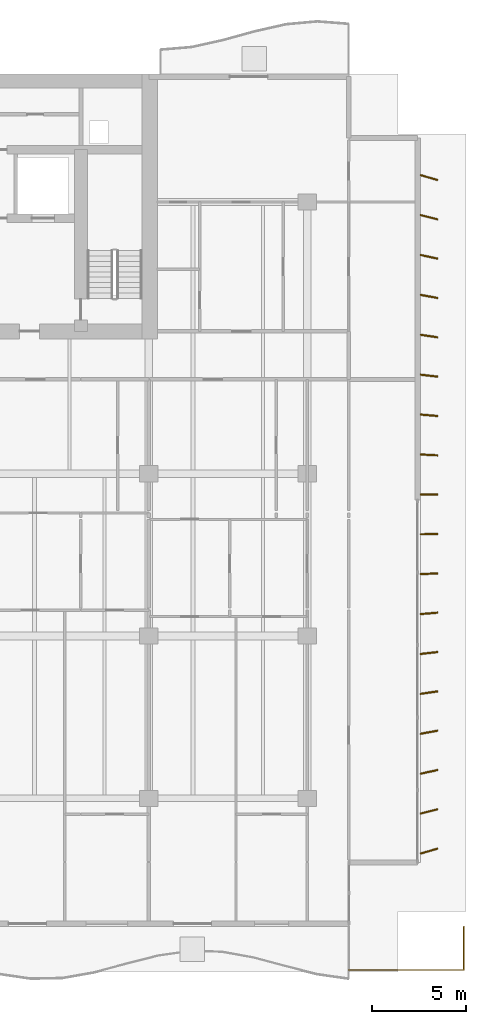
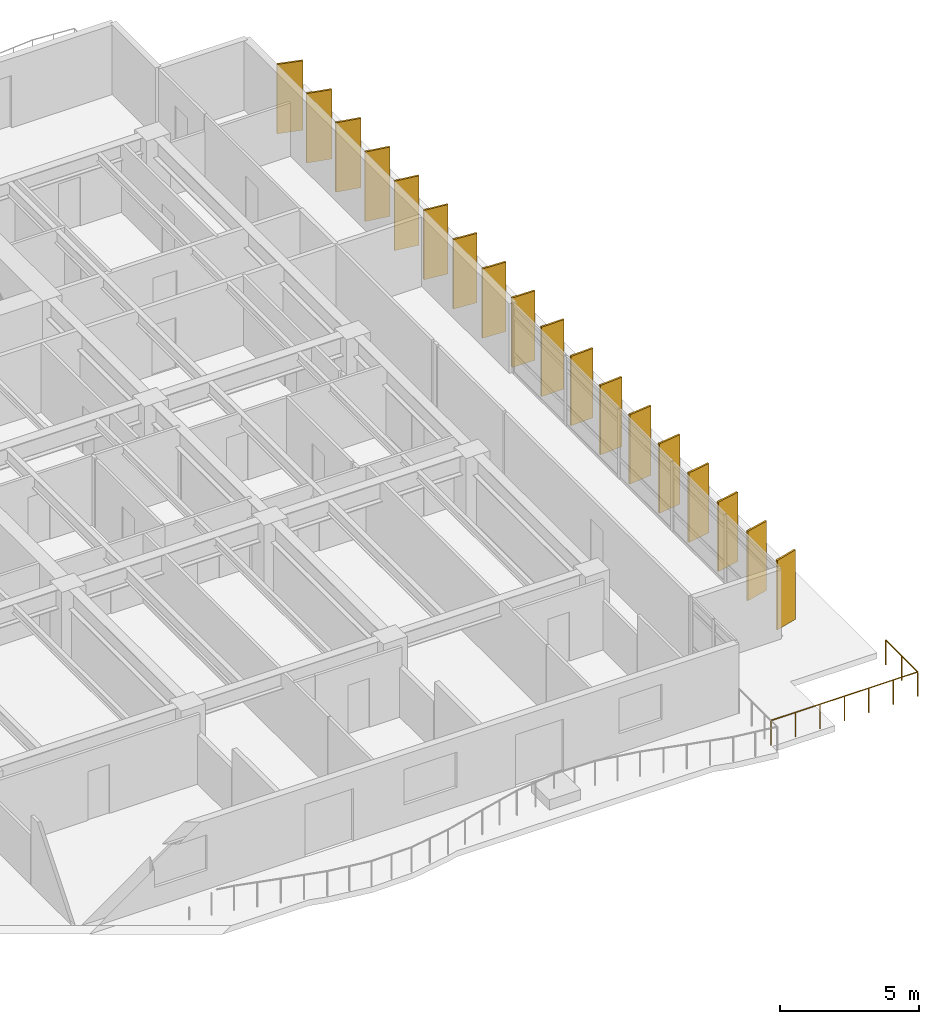
# One storey, part 17 of 17: 18 shading devices, 1 railing.
"""IFC4 building model written with IfcOpenShell, lengths in metres."""

import ifcopenshell
import ifcopenshell.guid

model = None  # the IFC model being written
_history = None  # IfcOwnerHistory: only IFC2X3 demands one
_inside = {}  # id of a spatial element -> (the spatial element, [elements in it])
_under = {}  # id of a project, library or spatial element -> (it, [spatial elements below it])
_declared = {}  # id of a project -> (the project, [libraries it declares])
_typed = {}  # id of a type object -> (the type object, [elements of that type])
_made_of = {}  # id of a material, layer set ... -> (it, [elements and type objects made of it])


def new_model(schema):
    """Start an empty IFC model of exactly this schema.

    Asked for "IFC4X3", IfcOpenShell would pick the latest addendum, in which some entities
    have other attributes; the version numbers below select the first issue.
    IFC2X3 requires an IfcOwnerHistory on every rooted entity: one is made here for all.
    """
    global model, _history
    if schema == "IFC4X3":
        model = ifcopenshell.file(schema_version=(4, 3, 0, 0))
    else:
        model = ifcopenshell.file(schema=schema)
    _inside.clear()
    _under.clear()
    _declared.clear()
    _typed.clear()
    _made_of.clear()
    _history = None
    if model.schema == "IFC2X3":
        org = make("IfcOrganization", Name="unknown")
        user = make(
            "IfcPersonAndOrganization",
            ThePerson=make("IfcPerson", FamilyName="unknown"),
            TheOrganization=org,
        )
        app = make(
            "IfcApplication",
            ApplicationDeveloper=org,
            Version="unknown",
            ApplicationFullName="unknown",
            ApplicationIdentifier="unknown",
        )
        _history = make(
            "IfcOwnerHistory",
            OwningUser=user,
            OwningApplication=app,
            ChangeAction="ADDED",
            CreationDate=0,
        )
    return model


def make(cls, **values):
    """One entity of the class cls with the attributes given. An attribute that is None is left unset."""
    return model.create_entity(
        cls, **{name: value for name, value in values.items() if value is not None}
    )


def rooted(cls, **values):
    """An entity with a GlobalId (a new one), such as an element, a storey or a relation."""
    return make(cls, GlobalId=ifcopenshell.guid.new(), OwnerHistory=_history, **values)


def si_unit(unit_type, name, prefix=None):
    """IfcSIUnit, for example si_unit("LENGTHUNIT", "METRE", prefix="MILLI")."""
    return make("IfcSIUnit", UnitType=unit_type, Prefix=prefix, Name=name)


def assignment(units):
    """IfcUnitAssignment: the units of a project."""
    return None if units is None else make("IfcUnitAssignment", Units=units)


def point(xyz):
    """IfcCartesianPoint."""
    return None if xyz is None else make("IfcCartesianPoint", Coordinates=xyz)


def direction(xyz):
    """IfcDirection."""
    return None if xyz is None else make("IfcDirection", DirectionRatios=xyz)


def frame(location, z_axis=None, x_axis=None):
    """IfcAxis2Placement3D, a coordinate frame: its origin and axes. An axis left out is left unset."""
    return make(
        "IfcAxis2Placement3D",
        Location=point(location),
        Axis=direction(z_axis),
        RefDirection=direction(x_axis),
    )


def frame_2d(location, x_axis=None):
    """IfcAxis2Placement2D, a coordinate frame in the plane: its origin and x axis."""
    return make(
        "IfcAxis2Placement2D", Location=point(location), RefDirection=direction(x_axis)
    )


def origin():
    """The frame at (0, 0, 0) with its axes left unset."""
    return frame((0.0, 0.0, 0.0))


def origin_2d():
    """The frame at (0, 0) in the plane with its x axis left unset."""
    return frame_2d((0.0, 0.0))


def place(relative_to, where):
    """IfcLocalPlacement: puts the frame where relative to a parent placement (None: the world)."""
    return make(
        "IfcLocalPlacement", PlacementRelTo=relative_to, RelativePlacement=where
    )


def context(
    kind, dimensions, precision=None, world=None, true_north=None, identifier=None
):
    """IfcGeometricRepresentationContext, for example the 3D "Model" context."""
    return make(
        "IfcGeometricRepresentationContext",
        ContextIdentifier=identifier,
        ContextType=kind,
        CoordinateSpaceDimension=dimensions,
        Precision=precision,
        WorldCoordinateSystem=world,
        TrueNorth=true_north,
    )


def subcontext(parent, identifier, kind, view, scale=None):
    """IfcGeometricRepresentationSubContext, for example "Body" below "Model"."""
    return make(
        "IfcGeometricRepresentationSubContext",
        ContextIdentifier=identifier,
        ContextType=kind,
        ParentContext=parent,
        TargetScale=scale,
        TargetView=view,
    )


def project(units=None, contexts=None):
    """IfcProject with its units and contexts."""
    return rooted(
        "IfcProject",
        Name="project",
        RepresentationContexts=contexts,
        UnitsInContext=assignment(units),
    )


def spatial(cls, under=None, at=None, **own):
    """A site, building, storey or space (cls), placed at a placement, below another one or the project."""
    s = rooted(cls, ObjectPlacement=at, **own)
    if under is not None:
        _under.setdefault(under.id(), (under, []))[1].append(s)
    return s


def profile(cls, at=None, kind="AREA", **sizes):
    """A parametric profile (cls). Its sizes go by their IFC names, for example OverallWidth=200.0."""
    return make(cls, ProfileType=kind, Position=at, **sizes)


def rectangle(**sizes):
    """IfcRectangleProfileDef."""
    return profile("IfcRectangleProfileDef", **sizes)


def circle(**sizes):
    """IfcCircleProfileDef."""
    return profile("IfcCircleProfileDef", **sizes)


def extrude(swept, where, along, depth):
    """IfcExtrudedAreaSolid: the profile swept, set in the frame where, extruded along a direction by depth."""
    return make(
        "IfcExtrudedAreaSolid",
        SweptArea=swept,
        Position=where,
        ExtrudedDirection=direction(along),
        Depth=depth,
    )


def shape(context_of_items, identifier, shape_type, items):
    """IfcShapeRepresentation: the items that make up one representation, for example the "Body"."""
    return make(
        "IfcShapeRepresentation",
        ContextOfItems=context_of_items,
        RepresentationIdentifier=identifier,
        RepresentationType=shape_type,
        Items=items,
    )


def material(Name=None, Category=None):
    """IfcMaterial."""
    return make("IfcMaterial", Name=Name, Category=Category)


def material_profile(
    of_material, cross_section, Name=None, Category=None, Priority=None
):
    """IfcMaterialProfile: a cross section and its material."""
    return make(
        "IfcMaterialProfile",
        Name=Name,
        Material=of_material,
        Profile=cross_section,
        Priority=Priority,
        Category=Category,
    )


def profile_set(profiles, Name=None, composite=None):
    """IfcMaterialProfileSet."""
    return make(
        "IfcMaterialProfileSet",
        Name=Name,
        MaterialProfiles=profiles,
        CompositeProfile=composite,
    )


def made_of(thing, what):
    """Note that an element or type object is made of a material, layer set ...; save() writes the relation."""
    if what is not None:
        _made_of.setdefault(what.id(), (what, []))[1].append(thing)
    return thing


def type_object(cls, material=None, **own):
    """A type object (cls), such as IfcWallType, which elements share."""
    return made_of(rooted(cls, **own), material)


def element(
    cls,
    number,
    at=None,
    inside=None,
    cuts=None,
    type_object=None,
    material=None,
    context=None,
    identifier="Body",
    shape_type=None,
    held_by="IfcProductDefinitionShape",
    body=None,
    shapes=None,
    **own,
):
    """One element of the class cls, such as IfcWall. Its Tag is "e" and its number.

    at: its placement. inside: the storey or other place that contains it. cuts: it is an
    opening in that element (IfcRelVoidsElement). A single representation is given by context,
    identifier, shape_type and body (its items); several are given by shapes. held_by: the class
    of the entity that holds the representations. save() writes the other relations.
    """
    e = rooted(cls, Tag="e%d" % number, ObjectPlacement=at, **own)
    if body is not None:
        shapes = [shape(context, identifier, shape_type, body)]
    if shapes is not None:
        e.Representation = make(held_by, Representations=shapes)
    if inside is not None:
        _inside.setdefault(inside.id(), (inside, []))[1].append(e)
    if cuts is not None:
        rooted(
            "IfcRelVoidsElement", RelatingBuildingElement=cuts, RelatedOpeningElement=e
        )
    if type_object is not None:
        _typed.setdefault(type_object.id(), (type_object, []))[1].append(e)
    return made_of(e, material)


def aggregate(whole, parts):
    """IfcRelAggregates: a whole, such as a stair, and the parts it consists of."""
    return rooted("IfcRelAggregates", RelatingObject=whole, RelatedObjects=parts)


def save(model, path):
    """Write the relations noted so far, then the file.

    IfcRelAggregates (storeys below a building ...), IfcRelContainedInSpatialStructure (elements
    in a storey), IfcRelDefinesByType, IfcRelAssociatesMaterial and IfcRelDeclares: one each for
    every whole, place, type object, material and project.
    """
    for whole, parts in _under.values():
        aggregate(whole, parts)
    for where, things in _inside.values():
        rooted(
            "IfcRelContainedInSpatialStructure",
            RelatedElements=things,
            RelatingStructure=where,
        )
    for kind, things in _typed.values():
        rooted("IfcRelDefinesByType", RelatedObjects=things, RelatingType=kind)
    for what, things in _made_of.values():
        rooted("IfcRelAssociatesMaterial", RelatedObjects=things, RelatingMaterial=what)
    for by, libraries in _declared.values():
        rooted("IfcRelDeclares", RelatingContext=by, RelatedDefinitions=libraries)
    model.write(path)


model = new_model("IFC4")

# Units and contexts
model_context = context("Model", 3, precision=1e-05, world=origin(), true_north=direction((0.0, 1.0)))
body_context = subcontext(model_context, "Body", "Model", "MODEL_VIEW")
ifc_project = project(units=[si_unit("LENGTHUNIT", "METRE"), si_unit("AREAUNIT", "SQUARE_METRE"), si_unit("VOLUMEUNIT", "CUBIC_METRE"), si_unit("PLANEANGLEUNIT", "RADIAN"), si_unit("MASSUNIT", "GRAM", prefix="KILO")], contexts=[model_context])

# Site, building, storey
site_placement = place(None, origin())
site = spatial("IfcSite", under=ifc_project, at=site_placement, CompositionType="ELEMENT")
building_placement = place(site_placement, origin())
building = spatial("IfcBuilding", under=site, at=building_placement, Name="Caelmar Bay Residences", CompositionType="ELEMENT")
storey_placement = place(building_placement, frame((0.0, 0.0, 84.60009765625)))
storey = spatial("IfcBuildingStorey", under=building, at=storey_placement, Name="L22", CompositionType="ELEMENT", Elevation=84.60009765625)

# Railing
ifc_material_1 = material(Name="Anodised bronze handrail with laminated hurricane glass infill", Category="glass")
railing_type = type_object("IfcRailingType", Name="RL-BAL-1100", PredefinedType="BALUSTRADE", material=ifc_material_1)
railing_placement = place(storey_placement, frame((70.10009765625, 3.10009765625, 0.0)))
element("IfcRailing", 1, at=railing_placement, inside=storey, type_object=railing_type, Name="L22 East Planted Terrace Balustrade", PredefinedType="BALUSTRADE", context=body_context, shape_type="SweptSolid", body=[
    extrude(circle(Radius=0.02392578125, at=origin_2d()), frame((0.0, 0.0, 1.076171875), z_axis=(1.0, 0.0, 0.0), x_axis=(0.0, 1.0, 0.0)), (0.0, 0.0, 1.0), 6.099853515625),
    extrude(circle(Radius=0.02392578125, at=origin_2d()), frame((6.099853515625, 0.0, 1.076171875), z_axis=(0.0, 1.0, 0.0), x_axis=(-1.0, 0.0, 0.0)), (0.0, 0.0, 1.0), 2.2998046875),
    extrude(circle(Radius=0.02099609375, at=origin_2d()), origin(), (0.0, 0.0, 1.0), 1.052001953125),
    extrude(circle(Radius=0.02099609375, at=origin_2d()), frame((1.0166015625, 0.0, 0.0)), (0.0, 0.0, 1.0), 1.052001953125),
    extrude(circle(Radius=0.02099609375, at=origin_2d()), frame((2.033203125, 0.0, 0.0)), (0.0, 0.0, 1.0), 1.052001953125),
    extrude(circle(Radius=0.02099609375, at=origin_2d()), frame((3.0498046875, 0.0, 0.0)), (0.0, 0.0, 1.0), 1.052001953125),
    extrude(circle(Radius=0.02099609375, at=origin_2d()), frame((4.066650390625, 0.0, 0.0)), (0.0, 0.0, 1.0), 1.052001953125),
    extrude(circle(Radius=0.02099609375, at=origin_2d()), frame((5.083251953125, 0.0, 0.0)), (0.0, 0.0, 1.0), 1.052001953125),
    extrude(circle(Radius=0.02099609375, at=origin_2d()), frame((6.099853515625, 0.0, 0.0)), (0.0, 0.0, 1.0), 1.052001953125),
    extrude(circle(Radius=0.02099609375, at=origin_2d()), frame((6.099853515625, 1.14990234375, 0.0)), (0.0, 0.0, 1.0), 1.052001953125),
    extrude(circle(Radius=0.02099609375, at=origin_2d()), frame((6.099853515625, 2.2998046875, 0.0)), (0.0, 0.0, 1.0), 1.052001953125),
])

# Shading devices
ifc_material_2 = material(Name="Anodised architectural bronze aluminium 6063-T6", Category="aluminium")
ifc_material_profile = material_profile(ifc_material_2, rectangle(XDim=0.074951171875, YDim=0.949951171875, at=origin_2d()), Name="BRONZE-FIN-75X950")
ifc_profile_set = profile_set([ifc_material_profile], Name="Anodised architectural bronze aluminium 6063-T6")
shading_device_type = type_object("IfcShadingDeviceType", Name="SHD-FIN-950", PredefinedType="USERDEFINED", material=ifc_profile_set)
for number, where, z_axis, x_axis, name in (
    (2, (74.35009765625, 9.39990234375, 0.0), (0.0, 0.0, 1.0), (-0.275637355817, 0.961261695938, 0.0), "L22 East Bronze Solar Fin 1"),
    (3, (74.35009765625, 11.5, 0.0), (0.0, 0.0, 1.0), (-0.243953546137, 0.969786918517, 0.0), "L22 East Bronze Solar Fin 2"),
    (4, (74.35009765625, 13.60009765625, 0.0), (0.0, 0.0, 1.0), (-0.212007109922, 0.977268123568, 0.0), "L22 East Bronze Solar Fin 3"),
    (5, (74.35009765625, 15.699951171875, 0.0), (0.0, 0.0, 1.0), (-0.179660748593, 0.98372862895, 0.0), "L22 East Bronze Solar Fin 4"),
    (6, (74.35009765625, 17.800048828125, 0.0), (0.0, 0.0, 1.0), (-0.147291543397, 0.989093120613, 0.0), "L22 East Bronze Solar Fin 5"),
    (7, (74.35009765625, 19.89990234375, 0.0), (0.0, 0.0, 1.0), (-0.114763772489, 0.993392810787, 0.0), "L22 East Bronze Solar Fin 6"),
    (8, (74.35009765625, 22.0, 0.0), (0.0, 0.0, 1.0), (-0.08211245342, 0.996623070671, 0.0), "L22 East Bronze Solar Fin 7"),
    (9, (74.35009765625, 24.10009765625, 0.0), (0.0, 0.0, 1.0), (-0.049198415926, 0.998789024705, 0.0), "L22 East Bronze Solar Fin 8"),
    (10, (74.35009765625, 26.199951171875, 0.0), (0.0, 0.0, 1.0), (-0.016405359001, 0.999865423043, 0.0), "L22 East Bronze Solar Fin 9"),
    (11, (74.35009765625, 28.300048828125, 0.0), (0.0, 0.0, 1.0), (0.016405359001, 0.999865423043, 0.0), "L22 East Bronze Solar Fin 10"),
    (12, (74.35009765625, 30.39990234375, 0.0), (0.0, 0.0, 1.0), (0.049198415926, 0.998789024705, 0.0), "L22 East Bronze Solar Fin 11"),
    (13, (74.35009765625, 32.5, 0.0), (0.0, 0.0, 1.0), (0.08211245342, 0.996623070671, 0.0), "L22 East Bronze Solar Fin 12"),
    (14, (74.35009765625, 34.60009765625, 0.0), (0.0, 0.0, 1.0), (0.114763772489, 0.993392810787, 0.0), "L22 East Bronze Solar Fin 13"),
    (15, (74.35009765625, 36.699951171875, 0.0), (0.0, 0.0, 1.0), (0.147291543397, 0.989093120613, 0.0), "L22 East Bronze Solar Fin 14"),
    (16, (74.35009765625, 38.800048828125, 0.0), (0.0, 0.0, 1.0), (0.179660748593, 0.98372862895, 0.0), "L22 East Bronze Solar Fin 15"),
    (17, (74.35009765625, 40.89990234375, 0.0), (0.0, 0.0, 1.0), (0.212007109922, 0.977268123568, 0.0), "L22 East Bronze Solar Fin 16"),
    (18, (74.35009765625, 43.0, 0.0), (0.0, 0.0, 1.0), (0.243953546137, 0.969786918517, 0.0), "L22 East Bronze Solar Fin 17"),
    (19, (74.35009765625, 45.10009765625, 0.0), (0.0, 0.0, 1.0), (0.275637355817, 0.961261695938, 0.0), "L22 East Bronze Solar Fin 18"),
):
    element("IfcShadingDevice", number, at=place(storey_placement, frame(where, z_axis=z_axis, x_axis=x_axis)), inside=storey, type_object=shading_device_type, Name=name, ObjectType="FIN", PredefinedType="USERDEFINED", context=body_context, shape_type="SweptSolid", body=[
        extrude(rectangle(XDim=0.074951171875, YDim=0.949951171875, at=origin_2d()), origin(), (0.0, 0.0, 1.0), 3.0498046875),
    ])

save(model, "model.ifc")
